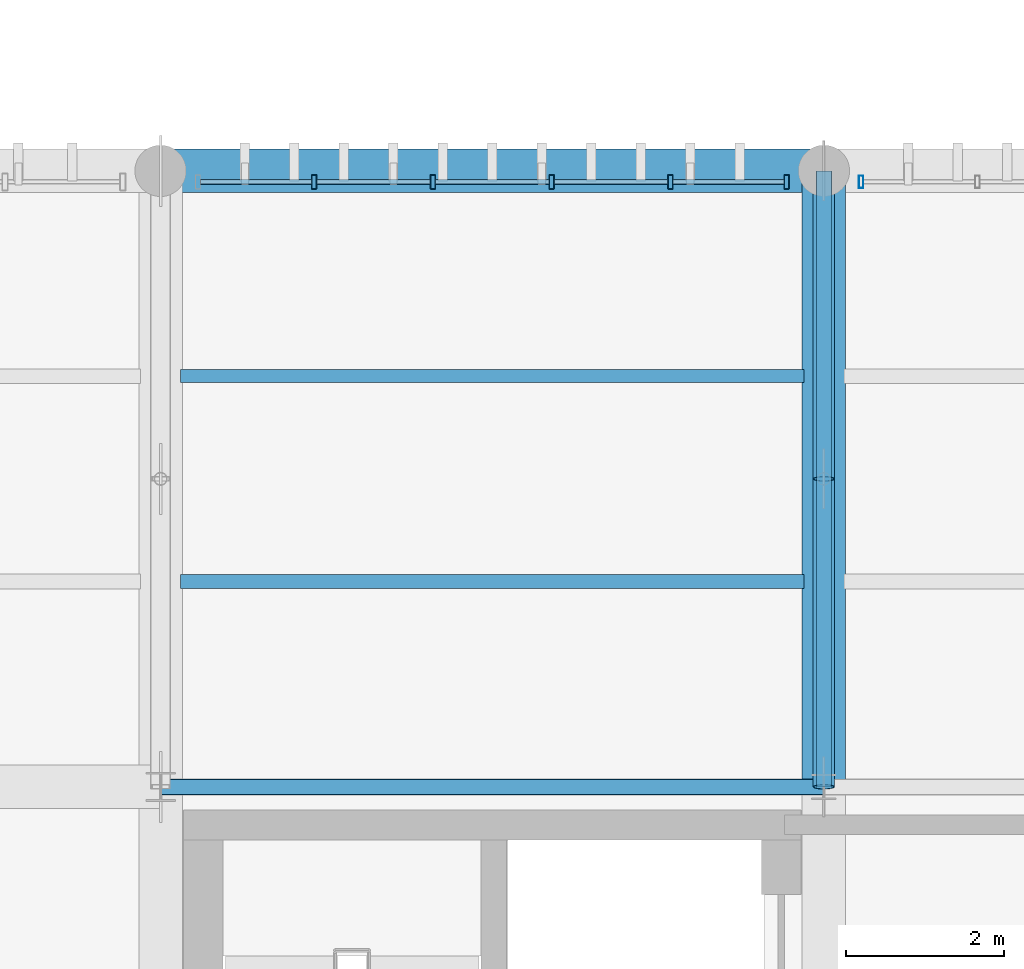
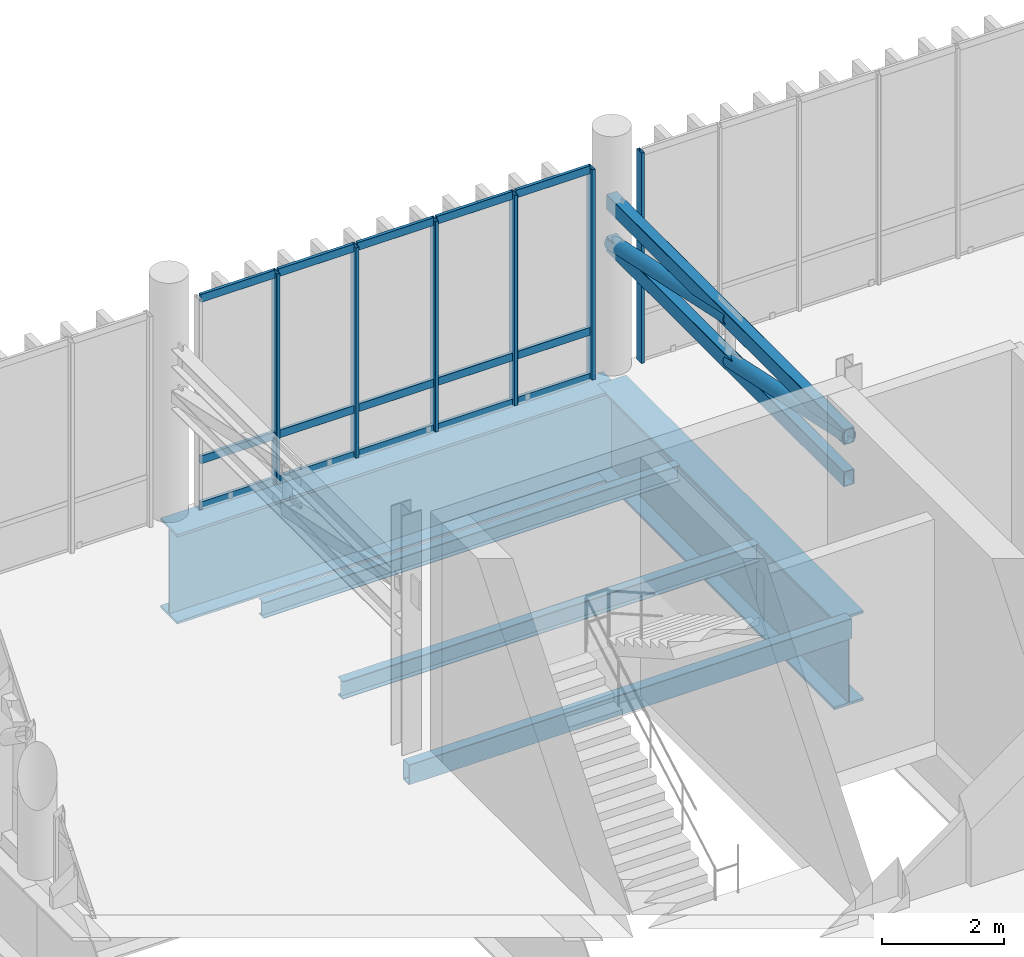
# One storey, part 15 of 81: 25 members, 5 beams, 2 elements without a shape of their own.
"""IFC4 building model written with IfcOpenShell, lengths in metres."""

from ifc_helpers import new_model, si_unit, direction, frame, origin_with_axes, origin_2d_with_axis, place, context, subcontext, project, spatial, hollow_rectangle, hollow_circle, i_section, extrude, material, material_profile, profile_set, type_object, element, aggregate, save


model = new_model("IFC4")

# Units and contexts
model_context = context("Model", 3, precision=1e-05, world=origin_with_axes(), true_north=direction((0.0, 1.0)))
body_context = subcontext(model_context, "Body", "Model", "MODEL_VIEW")
ifc_project = project(units=[si_unit("LENGTHUNIT", "METRE"), si_unit("AREAUNIT", "SQUARE_METRE"), si_unit("VOLUMEUNIT", "CUBIC_METRE"), si_unit("PLANEANGLEUNIT", "RADIAN"), si_unit("MASSUNIT", "GRAM", prefix="KILO"), si_unit("THERMODYNAMICTEMPERATUREUNIT", "KELVIN")], contexts=[model_context])

# Site, building, storey
site_placement = place(None, origin_with_axes())
site = spatial("IfcSite", under=ifc_project, at=site_placement, CompositionType="ELEMENT")
building_placement = place(site_placement, origin_with_axes())
building = spatial("IfcBuilding", under=site, at=building_placement, Name="Montbau Bow Law Courts", CompositionType="ELEMENT")
storey_placement = place(building_placement, frame((0.0, 0.0, 24.9), z_axis=(0.0, 0.0, 1.0), x_axis=(1.0, 0.0, 0.0)))
storey = spatial("IfcBuildingStorey", under=building, at=storey_placement, Name="L05", CompositionType="ELEMENT", Elevation=24.9)

# Beams
ifc_material_1 = material(Name="Steel CSA G40.21 Grade 350W (350 MPa)", Category="steel")
ifc_material_profile_1 = material_profile(ifc_material_1, i_section(OverallWidth=0.172, OverallDepth=0.358, WebThickness=0.0079, FlangeThickness=0.0131, at=origin_2d_with_axis()), Name="W360X57", Category="Main", Priority=0)
ifc_profile_set_1 = profile_set([ifc_material_profile_1], Name="Steel CSA G40.21 Grade 350W (350 MPa)")
beam_type_1 = type_object("IfcBeamType", Name="B-JST-03", PredefinedType="JOIST", material=ifc_profile_set_1)
beam_1_placement = place(None, frame((14.051, 57.2, 24.421), z_axis=(1.0, 0.0, 0.0), x_axis=(0.0, 1.0, 0.0)))
element("IfcBeam", 1, at=beam_1_placement, inside=storey, type_object=beam_type_1, Name="JST-L05-S0322:jst2_0322", PredefinedType="JOIST", context=body_context, shape_type="SweptSolid", body=[
    extrude(i_section(OverallWidth=0.172, OverallDepth=0.358, WebThickness=0.0079, FlangeThickness=0.0131, at=origin_2d_with_axis()), origin_with_axes(), (0.0, 0.0, 1.0), 7.898),
])
ifc_material_profile_2 = material_profile(ifc_material_1, i_section(OverallWidth=0.166, OverallDepth=0.313, WebThickness=0.0066, FlangeThickness=0.0112, at=origin_2d_with_axis()), Name="W310X45", Category="Main", Priority=0)
ifc_profile_set_2 = profile_set([ifc_material_profile_2], Name="Steel CSA G40.21 Grade 350W (350 MPa)")
beam_type_2 = type_object("IfcBeamType", Name="B-JST-04", PredefinedType="JOIST", material=ifc_profile_set_2)
beam_2_placement = place(None, frame((14.051, 59.8, 24.444), z_axis=(1.0, 0.0, 0.0), x_axis=(0.0, 1.0, 0.0)))
element("IfcBeam", 2, at=beam_2_placement, inside=storey, type_object=beam_type_2, Name="JST-L05-S0323:jst2_0323", PredefinedType="JOIST", context=body_context, shape_type="SweptSolid", body=[
    extrude(i_section(OverallWidth=0.166, OverallDepth=0.313, WebThickness=0.0066, FlangeThickness=0.0112, at=origin_2d_with_axis()), origin_with_axes(), (0.0, 0.0, 1.0), 7.898),
])
ifc_material_2 = material(Name="Steel CSA G40.21 Grade 350WT (350 MPa)", Category="steel")
ifc_material_profile_3 = material_profile(ifc_material_2, hollow_rectangle(XDim=0.203, YDim=0.406, WallThickness=0.0127, InnerFilletRadius=0.0254, OuterFilletRadius=0.0127, at=origin_2d_with_axis()), Name="HSS406X203X13", Category="Main", Priority=0)
ifc_profile_set_3 = profile_set([ifc_material_profile_3], Name="Steel CSA G40.21 Grade 350WT (350 MPa)")
beam_type_3 = type_object("IfcBeamType", Name="B-SPN-01", PredefinedType="SPANDREL", material=ifc_profile_set_3)
beam_3_placement = place(None, frame((13.8, 54.6, 24.397), z_axis=(1.0, 0.0, 0.0), x_axis=(0.0, 1.0, 0.0)))
element("IfcBeam", 3, at=beam_3_placement, inside=storey, type_object=beam_type_3, Name="SPN-L05-S0659:bm2_0662", PredefinedType="SPANDREL", context=body_context, shape_type="SweptSolid", body=[
    extrude(hollow_rectangle(XDim=0.203, YDim=0.406, WallThickness=0.0127, InnerFilletRadius=0.0254, OuterFilletRadius=0.0127, at=origin_2d_with_axis()), origin_with_axes(), (0.0, 0.0, 1.0), 8.4),
])
ifc_material_profile_4 = material_profile(ifc_material_2, i_section(OverallWidth=0.55, OverallDepth=1.8, WebThickness=0.022, FlangeThickness=0.05, at=origin_2d_with_axis()), Name="WWF1800X550", Category="Main", Priority=0)
ifc_profile_set_4 = profile_set([ifc_material_profile_4], Name="Steel CSA G40.21 Grade 350WT (350 MPa)")
beam_type_4 = type_object("IfcBeamType", Name="B-TRG-01", PredefinedType="USERDEFINED", material=ifc_profile_set_4)
beam_4_placement = place(None, frame((22.2, 54.6, 23.7), z_axis=(0.0, 1.0, 0.0), x_axis=(-1.0, 0.0, 0.0)))
element("IfcBeam", 4, at=beam_4_placement, inside=storey, type_object=beam_type_4, Name="TRG-L05-S0036:bm2_0039", ObjectType="GIRDER", PredefinedType="USERDEFINED", context=body_context, shape_type="SweptSolid", body=[
    extrude(i_section(OverallWidth=0.55, OverallDepth=1.8, WebThickness=0.022, FlangeThickness=0.05, at=origin_2d_with_axis()), origin_with_axes(), (0.0, 0.0, 1.0), 7.8),
])
beam_5_placement = place(None, frame((13.8, 62.4, 23.7), z_axis=(1.0, 0.0, 0.0), x_axis=(0.0, 1.0, 0.0)))
element("IfcBeam", 5, at=beam_5_placement, inside=storey, type_object=beam_type_4, Name="TRG-L05-S0045:bm2_0048", ObjectType="GIRDER", PredefinedType="USERDEFINED", context=body_context, shape_type="SweptSolid", body=[
    extrude(i_section(OverallWidth=0.55, OverallDepth=1.8, WebThickness=0.022, FlangeThickness=0.05, at=origin_2d_with_axis()), origin_with_axes(), (0.0, 0.0, 1.0), 8.4),
])

# Members
ifc_material_profile_5 = material_profile(ifc_material_1, hollow_circle(Radius=0.1365, WallThickness=0.0127, at=origin_2d_with_axis()), Name="HSS273X13", Category="Main", Priority=0)
ifc_profile_set_5 = profile_set([ifc_material_profile_5], Name="Steel CSA G40.21 Grade 350W (350 MPa)")
member_type_1 = type_object("IfcMemberType", Name="M-BRC-03", PredefinedType="BRACE", material=ifc_profile_set_5)
for number, where, z_axis, x_axis, name in (
    (6, (22.2, 54.6, 28.2), (0.0, 0.977581781, -0.210556076), (-1.0, 0.0, 0.0), "Diagonal brace BRC-L05-005"),
    (7, (22.2, 58.5, 28.2), (0.0, 0.977581781, -0.210556076), (-1.0, 0.0, 0.0), "Diagonal brace BRC-L05-006"),
):
    element("IfcMember", number, at=place(None, frame(where, z_axis=z_axis, x_axis=x_axis)), inside=storey, type_object=member_type_1, Name=name, PredefinedType="BRACE", context=body_context, shape_type="SweptSolid", body=[
        extrude(hollow_circle(Radius=0.1365, WallThickness=0.0127, at=origin_2d_with_axis()), origin_with_axes(), (0.0, 0.0, 1.0), 3.989436),
    ])
ifc_material_profile_6 = material_profile(ifc_material_2, hollow_rectangle(XDim=0.203, YDim=0.305, WallThickness=0.0127, InnerFilletRadius=0.0254, OuterFilletRadius=0.0127, at=origin_2d_with_axis()), Name="HSS305X203X13", Category="Main", Priority=0)
ifc_profile_set_6 = profile_set([ifc_material_profile_6], Name="Steel CSA G40.21 Grade 350WT (350 MPa)")
member_type_2 = type_object("IfcMemberType", Name="M-CHD-02", PredefinedType="CHORD", material=ifc_profile_set_6)
for number, where, z_axis, x_axis, name in (
    (8, (22.2, 54.6, 27.36), (0.0, 1.0, 0.0), (-1.0, 0.0, 0.0), "CHB-L05-03:chb_0003"),
    (9, (22.2, 54.6, 28.2), (0.0, 1.0, 0.0), (-1.0, 0.0, 0.0), "CHD-L05-03:mbr_0009"),
):
    element("IfcMember", number, at=place(None, frame(where, z_axis=z_axis, x_axis=x_axis)), inside=storey, type_object=member_type_2, Name=name, PredefinedType="CHORD", context=body_context, shape_type="SweptSolid", body=[
        extrude(hollow_rectangle(XDim=0.203, YDim=0.305, WallThickness=0.0127, InnerFilletRadius=0.0254, OuterFilletRadius=0.0127, at=origin_2d_with_axis()), origin_with_axes(), (0.0, 0.0, 1.0), 7.8),
    ])

# Curtain wall, members
ifc_material_3 = material(Name="Thermally Broken Extruded Aluminium AA 6063-T6", Category="aluminium")
curtain_wall_type = type_object("IfcCurtainWallType", Name="CW-TRC-02", PredefinedType="NOTDEFINED", material=ifc_material_3)
curtain_wall_1_placement = place(None, frame((14.24, 62.26, 24.9), z_axis=(0.0, 0.0, 1.0), x_axis=(1.0, 0.0, 0.0)))
curtain_wall_1 = element("IfcCurtainWall", 10, at=curtain_wall_1_placement, inside=storey, type_object=curtain_wall_type, Name="CW-L05-082:cw_0082", PredefinedType="NOTDEFINED")
ifc_material_profile_7 = material_profile(ifc_material_3, hollow_rectangle(XDim=0.065, YDim=0.18, WallThickness=0.005, InnerFilletRadius=0.01, OuterFilletRadius=0.005, at=origin_2d_with_axis()), Name="CWM-180X65", Category="Main", Priority=0)
ifc_profile_set_7 = profile_set([ifc_material_profile_7], Name="Thermally Broken Extruded Aluminium AA 6063-T6")
member_type_3 = type_object("IfcMemberType", Name="M-MUL-02", PredefinedType="MULLION", material=ifc_profile_set_7)
member_1_placement = place(None, frame((15.744, 62.26, 24.9), z_axis=(0.0, 0.0, 1.0), x_axis=(1.0, 0.0, 0.0)))
member_1 = element("IfcMember", 11, at=member_1_placement, type_object=member_type_3, Name="CW-L05-082-M02:cw_0082_M02", PredefinedType="MULLION", context=body_context, shape_type="SweptSolid", body=[
    extrude(hollow_rectangle(XDim=0.065, YDim=0.18, WallThickness=0.005, InnerFilletRadius=0.01, OuterFilletRadius=0.005, at=origin_2d_with_axis()), origin_with_axes(), (0.0, 0.0, 1.0), 4.22),
])
member_2_placement = place(None, frame((17.248, 62.26, 24.9), z_axis=(0.0, 0.0, 1.0), x_axis=(1.0, 0.0, 0.0)))
member_2 = element("IfcMember", 12, at=member_2_placement, type_object=member_type_3, Name="CW-L05-082-M03:cw_0082_M03", PredefinedType="MULLION", context=body_context, shape_type="SweptSolid", body=[
    extrude(hollow_rectangle(XDim=0.065, YDim=0.18, WallThickness=0.005, InnerFilletRadius=0.01, OuterFilletRadius=0.005, at=origin_2d_with_axis()), origin_with_axes(), (0.0, 0.0, 1.0), 4.22),
])
member_3_placement = place(None, frame((18.752, 62.26, 24.9), z_axis=(0.0, 0.0, 1.0), x_axis=(1.0, 0.0, 0.0)))
member_3 = element("IfcMember", 13, at=member_3_placement, type_object=member_type_3, Name="CW-L05-082-M04:cw_0082_M04", PredefinedType="MULLION", context=body_context, shape_type="SweptSolid", body=[
    extrude(hollow_rectangle(XDim=0.065, YDim=0.18, WallThickness=0.005, InnerFilletRadius=0.01, OuterFilletRadius=0.005, at=origin_2d_with_axis()), origin_with_axes(), (0.0, 0.0, 1.0), 4.22),
])
member_4_placement = place(None, frame((20.256, 62.26, 24.9), z_axis=(0.0, 0.0, 1.0), x_axis=(1.0, 0.0, 0.0)))
member_4 = element("IfcMember", 14, at=member_4_placement, type_object=member_type_3, Name="CW-L05-082-M05:cw_0082_M05", PredefinedType="MULLION", context=body_context, shape_type="SweptSolid", body=[
    extrude(hollow_rectangle(XDim=0.065, YDim=0.18, WallThickness=0.005, InnerFilletRadius=0.01, OuterFilletRadius=0.005, at=origin_2d_with_axis()), origin_with_axes(), (0.0, 0.0, 1.0), 4.22),
])
member_5_placement = place(None, frame((21.728, 62.26, 24.9), z_axis=(0.0, 0.0, 1.0), x_axis=(1.0, 0.0, 0.0)))
member_5 = element("IfcMember", 15, at=member_5_placement, type_object=member_type_3, Name="CW-L05-082-M06:cw_0082_M06", PredefinedType="MULLION", context=body_context, shape_type="SweptSolid", body=[
    extrude(hollow_rectangle(XDim=0.065, YDim=0.18, WallThickness=0.005, InnerFilletRadius=0.01, OuterFilletRadius=0.005, at=origin_2d_with_axis()), origin_with_axes(), (0.0, 0.0, 1.0), 4.22),
])

# Curtain wall, member
curtain_wall_2_placement = place(None, frame((22.64, 62.26, 24.9), z_axis=(0.0, 0.0, 1.0), x_axis=(1.0, 0.0, 0.0)))
curtain_wall_2 = element("IfcCurtainWall", 16, at=curtain_wall_2_placement, inside=storey, type_object=curtain_wall_type, Name="CW-L05-083:cw_0083", PredefinedType="NOTDEFINED")
ifc_material_profile_8 = material_profile(ifc_material_3, hollow_rectangle(XDim=0.06, YDim=0.16, WallThickness=0.004, InnerFilletRadius=0.008, OuterFilletRadius=0.004, at=origin_2d_with_axis()), Name="CWM-160X60", Category="Main", Priority=0)
ifc_profile_set_8 = profile_set([ifc_material_profile_8], Name="Thermally Broken Extruded Aluminium AA 6063-T6")
member_type_4 = type_object("IfcMemberType", Name="M-MUL-03", PredefinedType="MULLION", material=ifc_profile_set_8)
member_6_placement = place(None, frame((22.67, 62.26, 24.9), z_axis=(0.0, 0.0, 1.0), x_axis=(1.0, 0.0, 0.0)))
member_6 = element("IfcMember", 17, at=member_6_placement, type_object=member_type_4, Name="CW-L05-083-M01:cw_0083_M01", PredefinedType="MULLION", context=body_context, shape_type="SweptSolid", body=[
    extrude(hollow_rectangle(XDim=0.06, YDim=0.16, WallThickness=0.004, InnerFilletRadius=0.008, OuterFilletRadius=0.004, at=origin_2d_with_axis()), origin_with_axes(), (0.0, 0.0, 1.0), 4.22),
])
aggregate(curtain_wall_2, [member_6])

# Member
ifc_material_profile_9 = material_profile(ifc_material_3, hollow_rectangle(XDim=0.06, YDim=0.16, WallThickness=0.004, InnerFilletRadius=0.008, OuterFilletRadius=0.004, at=origin_2d_with_axis()), Name="CWT-160X60", Category="Main", Priority=0)
ifc_profile_set_9 = profile_set([ifc_material_profile_9], Name="Thermally Broken Extruded Aluminium AA 6063-T6")
member_type_5 = type_object("IfcMemberType", Name="M-TRN-01", PredefinedType="USERDEFINED", material=ifc_profile_set_9)
member_7_placement = place(None, frame((14.308, 62.26, 24.93), z_axis=(1.0, 0.0, 0.0), x_axis=(0.0, 1.0, 0.0)))
member_7 = element("IfcMember", 18, at=member_7_placement, type_object=member_type_5, Name="CW-L05-082-T01-1:cw_0082_T01_1", ObjectType="TRANSOM", PredefinedType="USERDEFINED", context=body_context, shape_type="SweptSolid", body=[
    extrude(hollow_rectangle(XDim=0.06, YDim=0.16, WallThickness=0.004, InnerFilletRadius=0.008, OuterFilletRadius=0.004, at=origin_2d_with_axis()), origin_with_axes(), (0.0, 0.0, 1.0), 1.402),
])

member_8_placement = place(None, frame((14.308, 62.26, 25.85), z_axis=(1.0, 0.0, 0.0), x_axis=(0.0, 1.0, 0.0)))
member_8 = element("IfcMember", 19, at=member_8_placement, type_object=member_type_5, Name="CW-L05-082-T01-2:cw_0082_T01_2", ObjectType="TRANSOM", PredefinedType="USERDEFINED", context=body_context, shape_type="SweptSolid", body=[
    extrude(hollow_rectangle(XDim=0.06, YDim=0.16, WallThickness=0.004, InnerFilletRadius=0.008, OuterFilletRadius=0.004, at=origin_2d_with_axis()), origin_with_axes(), (0.0, 0.0, 1.0), 1.402),
])

member_9_placement = place(None, frame((14.308, 62.26, 29.09), z_axis=(1.0, 0.0, 0.0), x_axis=(0.0, 1.0, 0.0)))
member_9 = element("IfcMember", 20, at=member_9_placement, type_object=member_type_5, Name="CW-L05-082-T01-3:cw_0082_T01_3", ObjectType="TRANSOM", PredefinedType="USERDEFINED", context=body_context, shape_type="SweptSolid", body=[
    extrude(hollow_rectangle(XDim=0.06, YDim=0.16, WallThickness=0.004, InnerFilletRadius=0.008, OuterFilletRadius=0.004, at=origin_2d_with_axis()), origin_with_axes(), (0.0, 0.0, 1.0), 1.402),
])

member_10_placement = place(None, frame((15.778, 62.26, 24.93), z_axis=(1.0, 0.0, 0.0), x_axis=(0.0, 1.0, 0.0)))
member_10 = element("IfcMember", 21, at=member_10_placement, type_object=member_type_5, Name="CW-L05-082-T02-1:cw_0082_T02_1", ObjectType="TRANSOM", PredefinedType="USERDEFINED", context=body_context, shape_type="SweptSolid", body=[
    extrude(hollow_rectangle(XDim=0.06, YDim=0.16, WallThickness=0.004, InnerFilletRadius=0.008, OuterFilletRadius=0.004, at=origin_2d_with_axis()), origin_with_axes(), (0.0, 0.0, 1.0), 1.436),
])

member_11_placement = place(None, frame((15.778, 62.26, 25.85), z_axis=(1.0, 0.0, 0.0), x_axis=(0.0, 1.0, 0.0)))
member_11 = element("IfcMember", 22, at=member_11_placement, type_object=member_type_5, Name="CW-L05-082-T02-2:cw_0082_T02_2", ObjectType="TRANSOM", PredefinedType="USERDEFINED", context=body_context, shape_type="SweptSolid", body=[
    extrude(hollow_rectangle(XDim=0.06, YDim=0.16, WallThickness=0.004, InnerFilletRadius=0.008, OuterFilletRadius=0.004, at=origin_2d_with_axis()), origin_with_axes(), (0.0, 0.0, 1.0), 1.436),
])

member_12_placement = place(None, frame((15.778, 62.26, 29.09), z_axis=(1.0, 0.0, 0.0), x_axis=(0.0, 1.0, 0.0)))
member_12 = element("IfcMember", 23, at=member_12_placement, type_object=member_type_5, Name="CW-L05-082-T02-3:cw_0082_T02_3", ObjectType="TRANSOM", PredefinedType="USERDEFINED", context=body_context, shape_type="SweptSolid", body=[
    extrude(hollow_rectangle(XDim=0.06, YDim=0.16, WallThickness=0.004, InnerFilletRadius=0.008, OuterFilletRadius=0.004, at=origin_2d_with_axis()), origin_with_axes(), (0.0, 0.0, 1.0), 1.436),
])

member_13_placement = place(None, frame((17.282, 62.26, 24.93), z_axis=(1.0, 0.0, 0.0), x_axis=(0.0, 1.0, 0.0)))
member_13 = element("IfcMember", 24, at=member_13_placement, type_object=member_type_5, Name="CW-L05-082-T03-1:cw_0082_T03_1", ObjectType="TRANSOM", PredefinedType="USERDEFINED", context=body_context, shape_type="SweptSolid", body=[
    extrude(hollow_rectangle(XDim=0.06, YDim=0.16, WallThickness=0.004, InnerFilletRadius=0.008, OuterFilletRadius=0.004, at=origin_2d_with_axis()), origin_with_axes(), (0.0, 0.0, 1.0), 1.436),
])

member_14_placement = place(None, frame((17.282, 62.26, 25.85), z_axis=(1.0, 0.0, 0.0), x_axis=(0.0, 1.0, 0.0)))
member_14 = element("IfcMember", 25, at=member_14_placement, type_object=member_type_5, Name="CW-L05-082-T03-2:cw_0082_T03_2", ObjectType="TRANSOM", PredefinedType="USERDEFINED", context=body_context, shape_type="SweptSolid", body=[
    extrude(hollow_rectangle(XDim=0.06, YDim=0.16, WallThickness=0.004, InnerFilletRadius=0.008, OuterFilletRadius=0.004, at=origin_2d_with_axis()), origin_with_axes(), (0.0, 0.0, 1.0), 1.436),
])

member_15_placement = place(None, frame((17.282, 62.26, 29.09), z_axis=(1.0, 0.0, 0.0), x_axis=(0.0, 1.0, 0.0)))
member_15 = element("IfcMember", 26, at=member_15_placement, type_object=member_type_5, Name="CW-L05-082-T03-3:cw_0082_T03_3", ObjectType="TRANSOM", PredefinedType="USERDEFINED", context=body_context, shape_type="SweptSolid", body=[
    extrude(hollow_rectangle(XDim=0.06, YDim=0.16, WallThickness=0.004, InnerFilletRadius=0.008, OuterFilletRadius=0.004, at=origin_2d_with_axis()), origin_with_axes(), (0.0, 0.0, 1.0), 1.436),
])

member_16_placement = place(None, frame((18.786, 62.26, 24.93), z_axis=(1.0, 0.0, 0.0), x_axis=(0.0, 1.0, 0.0)))
member_16 = element("IfcMember", 27, at=member_16_placement, type_object=member_type_5, Name="CW-L05-082-T04-1:cw_0082_T04_1", ObjectType="TRANSOM", PredefinedType="USERDEFINED", context=body_context, shape_type="SweptSolid", body=[
    extrude(hollow_rectangle(XDim=0.06, YDim=0.16, WallThickness=0.004, InnerFilletRadius=0.008, OuterFilletRadius=0.004, at=origin_2d_with_axis()), origin_with_axes(), (0.0, 0.0, 1.0), 1.436),
])

member_17_placement = place(None, frame((18.786, 62.26, 25.85), z_axis=(1.0, 0.0, 0.0), x_axis=(0.0, 1.0, 0.0)))
member_17 = element("IfcMember", 28, at=member_17_placement, type_object=member_type_5, Name="CW-L05-082-T04-2:cw_0082_T04_2", ObjectType="TRANSOM", PredefinedType="USERDEFINED", context=body_context, shape_type="SweptSolid", body=[
    extrude(hollow_rectangle(XDim=0.06, YDim=0.16, WallThickness=0.004, InnerFilletRadius=0.008, OuterFilletRadius=0.004, at=origin_2d_with_axis()), origin_with_axes(), (0.0, 0.0, 1.0), 1.436),
])

member_18_placement = place(None, frame((18.786, 62.26, 29.09), z_axis=(1.0, 0.0, 0.0), x_axis=(0.0, 1.0, 0.0)))
member_18 = element("IfcMember", 29, at=member_18_placement, type_object=member_type_5, Name="CW-L05-082-T04-3:cw_0082_T04_3", ObjectType="TRANSOM", PredefinedType="USERDEFINED", context=body_context, shape_type="SweptSolid", body=[
    extrude(hollow_rectangle(XDim=0.06, YDim=0.16, WallThickness=0.004, InnerFilletRadius=0.008, OuterFilletRadius=0.004, at=origin_2d_with_axis()), origin_with_axes(), (0.0, 0.0, 1.0), 1.436),
])

member_19_placement = place(None, frame((20.29, 62.26, 24.93), z_axis=(1.0, 0.0, 0.0), x_axis=(0.0, 1.0, 0.0)))
member_19 = element("IfcMember", 30, at=member_19_placement, type_object=member_type_5, Name="CW-L05-082-T05-1:cw_0082_T05_1", ObjectType="TRANSOM", PredefinedType="USERDEFINED", context=body_context, shape_type="SweptSolid", body=[
    extrude(hollow_rectangle(XDim=0.06, YDim=0.16, WallThickness=0.004, InnerFilletRadius=0.008, OuterFilletRadius=0.004, at=origin_2d_with_axis()), origin_with_axes(), (0.0, 0.0, 1.0), 1.404),
])

member_20_placement = place(None, frame((20.29, 62.26, 25.85), z_axis=(1.0, 0.0, 0.0), x_axis=(0.0, 1.0, 0.0)))
member_20 = element("IfcMember", 31, at=member_20_placement, type_object=member_type_5, Name="CW-L05-082-T05-2:cw_0082_T05_2", ObjectType="TRANSOM", PredefinedType="USERDEFINED", context=body_context, shape_type="SweptSolid", body=[
    extrude(hollow_rectangle(XDim=0.06, YDim=0.16, WallThickness=0.004, InnerFilletRadius=0.008, OuterFilletRadius=0.004, at=origin_2d_with_axis()), origin_with_axes(), (0.0, 0.0, 1.0), 1.404),
])

member_21_placement = place(None, frame((20.29, 62.26, 29.09), z_axis=(1.0, 0.0, 0.0), x_axis=(0.0, 1.0, 0.0)))
member_21 = element("IfcMember", 32, at=member_21_placement, type_object=member_type_5, Name="CW-L05-082-T05-3:cw_0082_T05_3", ObjectType="TRANSOM", PredefinedType="USERDEFINED", context=body_context, shape_type="SweptSolid", body=[
    extrude(hollow_rectangle(XDim=0.06, YDim=0.16, WallThickness=0.004, InnerFilletRadius=0.008, OuterFilletRadius=0.004, at=origin_2d_with_axis()), origin_with_axes(), (0.0, 0.0, 1.0), 1.404),
])

aggregate(curtain_wall_1, [member_1, member_2, member_3, member_4, member_5, member_7, member_8, member_9, member_10, member_11, member_12, member_13, member_14, member_15, member_16, member_17, member_18, member_19, member_20, member_21])

save(model, "model.ifc")
